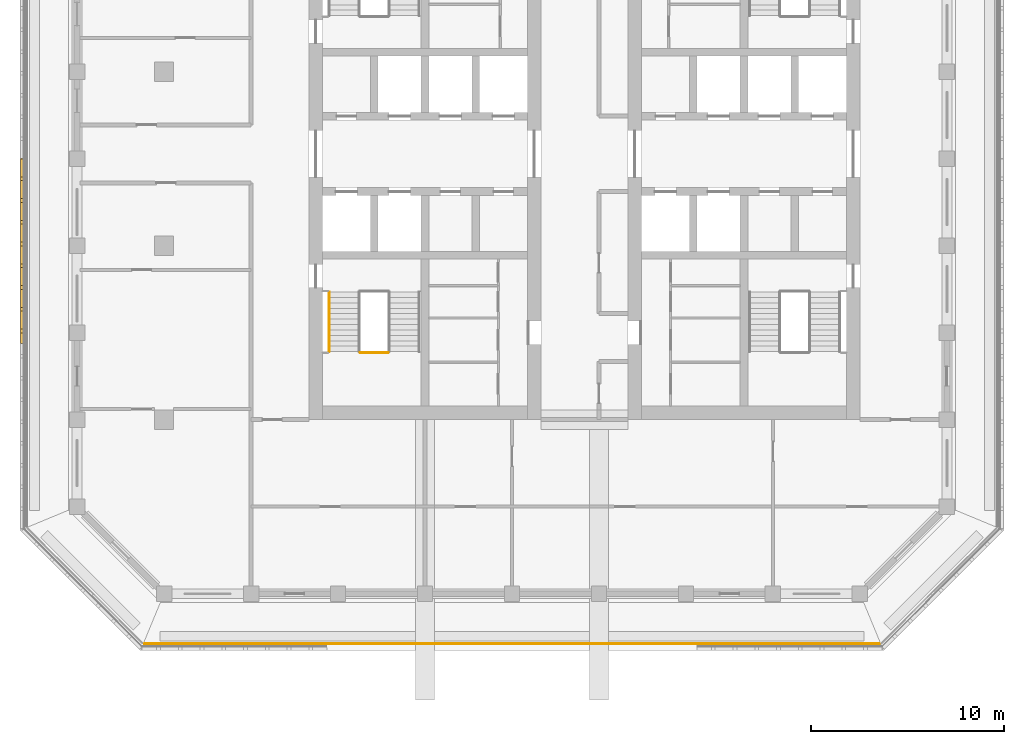
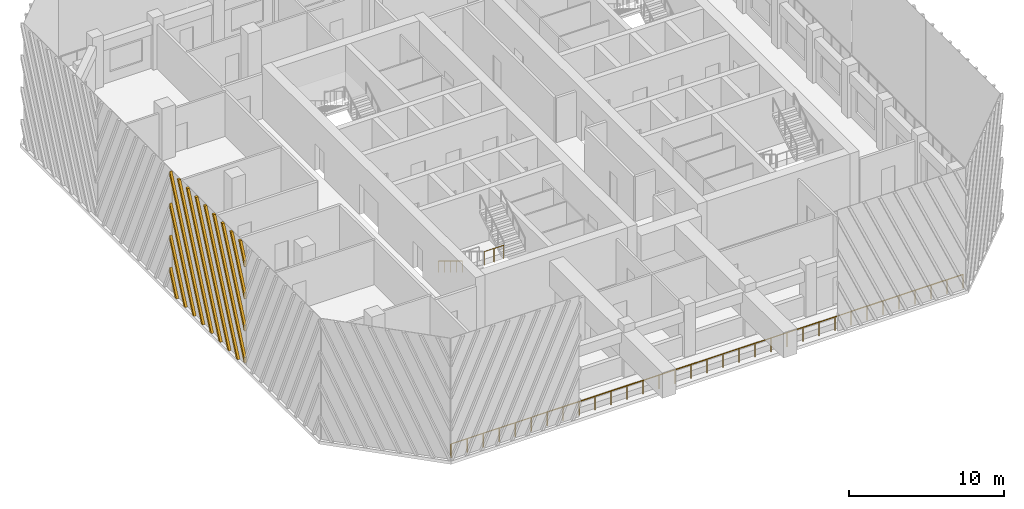
# One storey, part 10 of 16: 3 railings, 1 shading device.
"""IFC4 building model written with IfcOpenShell, lengths in metres."""

from ifc_helpers import new_model, si_unit, direction, frame, origin, origin_2d, place, context, subcontext, project, spatial, polyline, circle, outline, extrude, source, transform, mapped, material, type_object, element, save


model = new_model("IFC4")

# Units and contexts
model_context = context("Model", 3, precision=1e-05, world=origin(), true_north=direction((0.0, 1.0)))
body_context = subcontext(model_context, "Body", "Model", "MODEL_VIEW")
ifc_project = project(units=[si_unit("LENGTHUNIT", "METRE"), si_unit("AREAUNIT", "SQUARE_METRE"), si_unit("VOLUMEUNIT", "CUBIC_METRE"), si_unit("PLANEANGLEUNIT", "RADIAN"), si_unit("MASSUNIT", "GRAM", prefix="KILO")], contexts=[model_context])

# Site, building, storey
site_placement = place(None, origin())
site = spatial("IfcSite", under=ifc_project, at=site_placement, CompositionType="ELEMENT")
building_placement = place(site_placement, origin())
building = spatial("IfcBuilding", under=site, at=building_placement, Name="Corbel Stack Research Tower", CompositionType="ELEMENT")
storey_placement = place(building_placement, frame((0.0, 0.0, 290.89990234375)))
storey = spatial("IfcBuildingStorey", under=building, at=storey_placement, Name="L66", CompositionType="ELEMENT", Elevation=290.89990234375)

# Railings
ifc_material_1 = material(Name="Steel S355", Category="steel")
railing_type_1 = type_object("IfcRailingType", Name="Stair guard 1100", PredefinedType="GUARDRAIL", material=ifc_material_1)
railing_1_placement = place(storey_placement, frame((-7.85009765625, -5.530029296875, 2.050048828125)))
element("IfcRailing", 1, at=railing_1_placement, inside=storey, type_object=railing_type_1, Name="L66 ST-W1 stair guard 2", PredefinedType="GUARDRAIL", context=body_context, shape_type="SweptSolid", body=[
    extrude(circle(Radius=0.02392578125, at=origin_2d()), frame((0.0, 0.0, 1.076171875), z_axis=(1.0, 0.0, 0.0), x_axis=(0.0, 1.0, 0.0)), (0.0, 0.0, 1.0), 1.4501953125),
    extrude(circle(Radius=0.02099609375, at=origin_2d()), origin(), (0.0, 0.0, 1.0), 1.052001953125),
    extrude(circle(Radius=0.02099609375, at=origin_2d()), frame((0.72509765625, 0.0, 0.0)), (0.0, 0.0, 1.0), 1.052001953125),
    extrude(circle(Radius=0.02099609375, at=origin_2d()), frame((1.4501953125, 0.0, 0.0)), (0.0, 0.0, 1.0), 1.052001953125),
])
ifc_material_2 = material(Name="Steel S355", Category="steel")
railing_type_2 = type_object("IfcRailingType", Name="Stair handrail 900", PredefinedType="HANDRAIL", material=ifc_material_2)
railing_2_placement = place(storey_placement, frame((-9.449951171875, -2.39990234375, 0.1708984375)))
element("IfcRailing", 2, at=railing_2_placement, inside=storey, type_object=railing_type_2, Name="L66 ST-W1 stair handrail 1", PredefinedType="HANDRAIL", context=body_context, shape_type="SweptSolid", body=[
    extrude(circle(Radius=0.02392578125, at=origin_2d()), frame((0.0, 0.0, 0.8759765625), z_axis=(0.0, -0.853666305674, 0.52082035152), x_axis=(1.0, 0.0, 0.0)), (0.0, 0.0, 1.0), 3.608154296875),
    extrude(circle(Radius=0.02099609375, at=origin_2d()), origin(), (0.0, 0.0, 1.0), 0.851806640625),
    extrude(circle(Radius=0.02099609375, at=origin_2d()), frame((0.0, -0.77001953125, 0.4697265625)), (0.0, 0.0, 1.0), 0.851806640625),
    extrude(circle(Radius=0.02099609375, at=origin_2d()), frame((0.0, -1.5400390625, 0.939453125)), (0.0, 0.0, 1.0), 0.851806640625),
    extrude(circle(Radius=0.02099609375, at=origin_2d()), frame((0.0, -2.31005859375, 1.409423828125)), (0.0, 0.0, 1.0), 0.851806640625),
    extrude(circle(Radius=0.02099609375, at=origin_2d()), frame((0.0, -3.080078125, 1.879150390625)), (0.0, 0.0, 1.0), 0.851806640625),
])
ifc_material_3 = material(Name="Powder-coated steel guard", Category="steel")
railing_type_3 = type_object("IfcRailingType", Name="Steel and glass guard 1100", PredefinedType="GUARDRAIL", material=ifc_material_3)
railing_3_placement = place(storey_placement, frame((-19.00537109375, -20.60009765625, 0.0)))
element("IfcRailing", 3, at=railing_3_placement, inside=storey, type_object=railing_type_3, Name="Loggia guard L66 S", PredefinedType="GUARDRAIL", context=body_context, shape_type="SweptSolid", body=[
    extrude(circle(Radius=0.02392578125, at=origin_2d()), frame((0.0, 0.0, 1.076171875), z_axis=(1.0, 0.0, 0.0), x_axis=(0.0, 1.0, 0.0)), (0.0, 0.0, 1.0), 38.0107421875),
    extrude(circle(Radius=0.02099609375, at=origin_2d()), origin(), (0.0, 0.0, 1.0), 1.052001953125),
    extrude(circle(Radius=0.02099609375, at=origin_2d()), frame((1.187744140625, 0.0, 0.0)), (0.0, 0.0, 1.0), 1.052001953125),
    extrude(circle(Radius=0.02099609375, at=origin_2d()), frame((2.375732421875, 0.0, 0.0)), (0.0, 0.0, 1.0), 1.052001953125),
    extrude(circle(Radius=0.02099609375, at=origin_2d()), frame((3.5634765625, 0.0, 0.0)), (0.0, 0.0, 1.0), 1.052001953125),
    extrude(circle(Radius=0.02099609375, at=origin_2d()), frame((4.75146484375, 0.0, 0.0)), (0.0, 0.0, 1.0), 1.052001953125),
    extrude(circle(Radius=0.02099609375, at=origin_2d()), frame((5.939208984375, 0.0, 0.0)), (0.0, 0.0, 1.0), 1.052001953125),
    extrude(circle(Radius=0.02099609375, at=origin_2d()), frame((7.126953125, 0.0, 0.0)), (0.0, 0.0, 1.0), 1.052001953125),
    extrude(circle(Radius=0.02099609375, at=origin_2d()), frame((8.31494140625, 0.0, 0.0)), (0.0, 0.0, 1.0), 1.052001953125),
    extrude(circle(Radius=0.02099609375, at=origin_2d()), frame((9.502685546875, 0.0, 0.0)), (0.0, 0.0, 1.0), 1.052001953125),
    extrude(circle(Radius=0.02099609375, at=origin_2d()), frame((10.6904296875, 0.0, 0.0)), (0.0, 0.0, 1.0), 1.052001953125),
    extrude(circle(Radius=0.02099609375, at=origin_2d()), frame((11.87841796875, 0.0, 0.0)), (0.0, 0.0, 1.0), 1.052001953125),
    extrude(circle(Radius=0.02099609375, at=origin_2d()), frame((13.066162109375, 0.0, 0.0)), (0.0, 0.0, 1.0), 1.052001953125),
    extrude(circle(Radius=0.02099609375, at=origin_2d()), frame((14.25390625, 0.0, 0.0)), (0.0, 0.0, 1.0), 1.052001953125),
    extrude(circle(Radius=0.02099609375, at=origin_2d()), frame((15.44189453125, 0.0, 0.0)), (0.0, 0.0, 1.0), 1.052001953125),
    extrude(circle(Radius=0.02099609375, at=origin_2d()), frame((16.629638671875, 0.0, 0.0)), (0.0, 0.0, 1.0), 1.052001953125),
    extrude(circle(Radius=0.02099609375, at=origin_2d()), frame((17.817626953125, 0.0, 0.0)), (0.0, 0.0, 1.0), 1.052001953125),
    extrude(circle(Radius=0.02099609375, at=origin_2d()), frame((19.00537109375, 0.0, 0.0)), (0.0, 0.0, 1.0), 1.052001953125),
    extrude(circle(Radius=0.02099609375, at=origin_2d()), frame((20.193115234375, 0.0, 0.0)), (0.0, 0.0, 1.0), 1.052001953125),
    extrude(circle(Radius=0.02099609375, at=origin_2d()), frame((21.381103515625, 0.0, 0.0)), (0.0, 0.0, 1.0), 1.052001953125),
    extrude(circle(Radius=0.02099609375, at=origin_2d()), frame((22.56884765625, 0.0, 0.0)), (0.0, 0.0, 1.0), 1.052001953125),
    extrude(circle(Radius=0.02099609375, at=origin_2d()), frame((23.7568359375, 0.0, 0.0)), (0.0, 0.0, 1.0), 1.052001953125),
    extrude(circle(Radius=0.02099609375, at=origin_2d()), frame((24.944580078125, 0.0, 0.0)), (0.0, 0.0, 1.0), 1.052001953125),
    extrude(circle(Radius=0.02099609375, at=origin_2d()), frame((26.13232421875, 0.0, 0.0)), (0.0, 0.0, 1.0), 1.052001953125),
    extrude(circle(Radius=0.02099609375, at=origin_2d()), frame((27.3203125, 0.0, 0.0)), (0.0, 0.0, 1.0), 1.052001953125),
    extrude(circle(Radius=0.02099609375, at=origin_2d()), frame((28.508056640625, 0.0, 0.0)), (0.0, 0.0, 1.0), 1.052001953125),
    extrude(circle(Radius=0.02099609375, at=origin_2d()), frame((29.69580078125, 0.0, 0.0)), (0.0, 0.0, 1.0), 1.052001953125),
    extrude(circle(Radius=0.02099609375, at=origin_2d()), frame((30.8837890625, 0.0, 0.0)), (0.0, 0.0, 1.0), 1.052001953125),
    extrude(circle(Radius=0.02099609375, at=origin_2d()), frame((32.071533203125, 0.0, 0.0)), (0.0, 0.0, 1.0), 1.052001953125),
    extrude(circle(Radius=0.02099609375, at=origin_2d()), frame((33.25927734375, 0.0, 0.0)), (0.0, 0.0, 1.0), 1.052001953125),
    extrude(circle(Radius=0.02099609375, at=origin_2d()), frame((34.447265625, 0.0, 0.0)), (0.0, 0.0, 1.0), 1.052001953125),
    extrude(circle(Radius=0.02099609375, at=origin_2d()), frame((35.635009765625, 0.0, 0.0)), (0.0, 0.0, 1.0), 1.052001953125),
    extrude(circle(Radius=0.02099609375, at=origin_2d()), frame((36.822998046875, 0.0, 0.0)), (0.0, 0.0, 1.0), 1.052001953125),
    extrude(circle(Radius=0.02099609375, at=origin_2d()), frame((38.0107421875, 0.0, 0.0)), (0.0, 0.0, 1.0), 1.052001953125),
])

# Shading device
ifc_material_4 = material(Name="Precast terracotta", Category="masonry")
shading_device_type = type_object("IfcShadingDeviceType", Name="Terracotta screen panel", PredefinedType="USERDEFINED", material=ifc_material_4)
shared_shape = source(origin(), body_context, "Body", "SweptSolid", [
    extrude(outline(polyline([(0.862060546875, 0.0), (0.0, 1.936279296875), (0.0, 1.509521484375), (0.672119140625, 0.0), (0.862060546875, 0.0)])), frame((0.0, 0.0, 0.0), z_axis=(0.0, -1.0, 0.0), x_axis=(1.0, 0.0, 0.0)), (0.0, 0.0, 1.0), 0.179931640625),
    extrude(outline(polyline([(1.987060546875, 0.0), (0.0, 4.463134765625), (0.0, 4.036376953125), (1.797119140625, 0.0), (1.987060546875, 0.0)])), frame((0.0, 0.0, 0.0), z_axis=(0.0, -1.0, 0.0), x_axis=(1.0, 0.0, 0.0)), (0.0, 0.0, 1.0), 0.179931640625),
    extrude(outline(polyline([(3.112060546875, 0.0), (0.0, 6.989990234375), (0.0, 6.563232421875), (2.922119140625, 0.0), (3.112060546875, 0.0)])), frame((0.0, 0.0, 0.0), z_axis=(0.0, -1.0, 0.0), x_axis=(1.0, 0.0, 0.0)), (0.0, 0.0, 1.0), 0.179931640625),
    extrude(outline(polyline([(4.237060546875, 0.0), (0.007568359375, 9.5), (0.0, 9.5), (0.0, 9.090087890625), (4.047119140625, 0.0), (4.237060546875, 0.0)])), frame((0.0, 0.0, 0.0), z_axis=(0.0, -1.0, 0.0), x_axis=(1.0, 0.0, 0.0)), (0.0, 0.0, 1.0), 0.179931640625),
    extrude(outline(polyline([(5.362060546875, 0.0), (1.132568359375, 9.5), (0.9423828125, 9.5), (5.172119140625, 0.0), (5.362060546875, 0.0)])), frame((0.0, 0.0, 0.0), z_axis=(0.0, -1.0, 0.0), x_axis=(1.0, 0.0, 0.0)), (0.0, 0.0, 1.0), 0.179931640625),
    extrude(outline(polyline([(6.487060546875, 0.0), (2.257568359375, 9.5), (2.0673828125, 9.5), (6.297119140625, 0.0), (6.487060546875, 0.0)])), frame((0.0, 0.0, 0.0), z_axis=(0.0, -1.0, 0.0), x_axis=(1.0, 0.0, 0.0)), (0.0, 0.0, 1.0), 0.179931640625),
    extrude(outline(polyline([(7.612060546875, 0.0), (3.382568359375, 9.5), (3.1923828125, 9.5), (7.422119140625, 0.0), (7.612060546875, 0.0)])), frame((0.0, 0.0, 0.0), z_axis=(0.0, -1.0, 0.0), x_axis=(1.0, 0.0, 0.0)), (0.0, 0.0, 1.0), 0.179931640625),
    extrude(outline(polyline([(8.737060546875, 0.0), (4.507568359375, 9.5), (4.3173828125, 9.5), (8.547119140625, 0.0), (8.737060546875, 0.0)])), frame((0.0, 0.0, 0.0), z_axis=(0.0, -1.0, 0.0), x_axis=(1.0, 0.0, 0.0)), (0.0, 0.0, 1.0), 0.179931640625),
    extrude(outline(polyline([(5.632568359375, 9.5), (5.4423828125, 9.5), (9.569580078125, 0.23046875), (9.569580078125, 0.6572265625), (5.632568359375, 9.5)])), frame((0.0, 0.0, 0.0), z_axis=(0.0, -1.0, 0.0), x_axis=(1.0, 0.0, 0.0)), (0.0, 0.0, 1.0), 0.179931640625),
    extrude(outline(polyline([(6.757568359375, 9.5), (6.5673828125, 9.5), (9.569580078125, 2.757080078125), (9.569580078125, 3.18408203125), (6.757568359375, 9.5)])), frame((0.0, 0.0, 0.0), z_axis=(0.0, -1.0, 0.0), x_axis=(1.0, 0.0, 0.0)), (0.0, 0.0, 1.0), 0.179931640625),
    extrude(outline(polyline([(7.882568359375, 9.5), (7.6923828125, 9.5), (9.569580078125, 5.283935546875), (9.569580078125, 5.710693359375), (7.882568359375, 9.5)])), frame((0.0, 0.0, 0.0), z_axis=(0.0, -1.0, 0.0), x_axis=(1.0, 0.0, 0.0)), (0.0, 0.0, 1.0), 0.179931640625),
    extrude(outline(polyline([(9.007568359375, 9.5), (8.8173828125, 9.5), (9.569580078125, 7.810791015625), (9.569580078125, 8.237548828125), (9.007568359375, 9.5)])), frame((0.0, 0.0, 0.0), z_axis=(0.0, -1.0, 0.0), x_axis=(1.0, 0.0, 0.0)), (0.0, 0.0, 1.0), 0.179931640625),
])
shading_device_placement = place(storey_placement, frame((-25.25, 4.5, 0.0), z_axis=(0.0, 0.0, 1.0), x_axis=(0.0, -1.0, 0.0)))
element("IfcShadingDevice", 4, at=shading_device_placement, inside=storey, type_object=shading_device_type, Name="Terracotta screen L66 W3", ObjectType="SCREEN", PredefinedType="USERDEFINED", context=body_context, shape_type="MappedRepresentation", body=[
    mapped(shared_shape, transform((0.0, 0.0, 0.0))),
])

save(model, "model.ifc")
